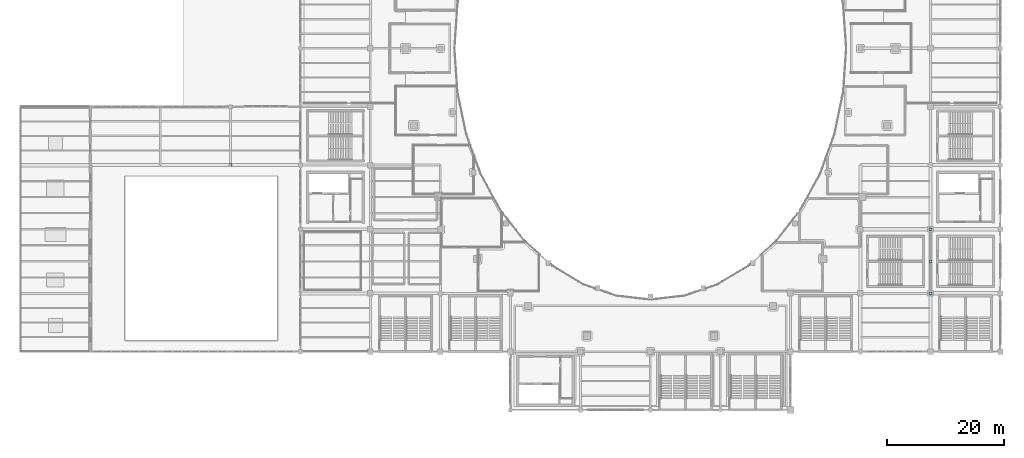
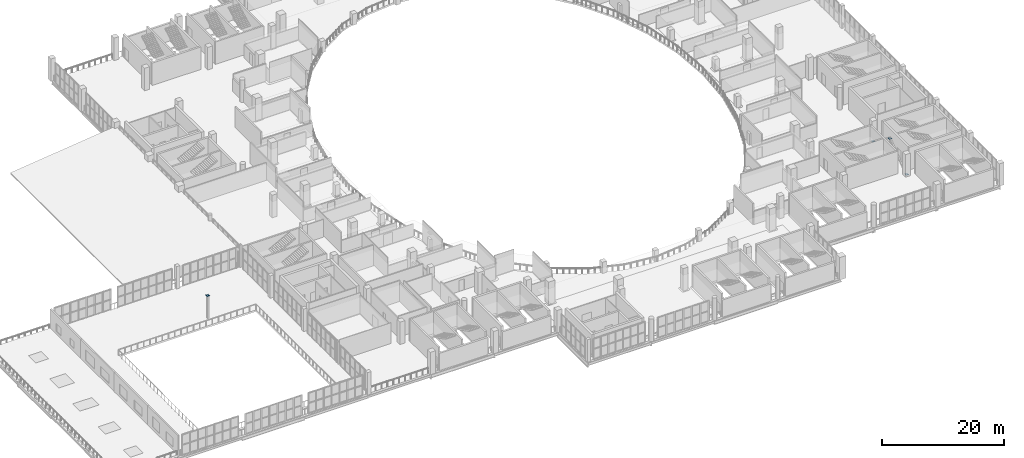
# One storey, part 59 of 90: 4 plates.
"""IFC4 building model written with IfcOpenShell, lengths in metres."""

from ifc_helpers import new_model, si_unit, direction, frame, origin, origin_2d, place, context, subcontext, project, spatial, rectangle, extrude, material, layer, layer_set, type_object, element, save


model = new_model("IFC4")

# Units and contexts
model_context = context("Model", 3, precision=1e-05, world=origin(), true_north=direction((0.0, 1.0)))
body_context = subcontext(model_context, "Body", "Model", "MODEL_VIEW")
ifc_project = project(units=[si_unit("LENGTHUNIT", "METRE"), si_unit("AREAUNIT", "SQUARE_METRE"), si_unit("VOLUMEUNIT", "CUBIC_METRE"), si_unit("PLANEANGLEUNIT", "RADIAN"), si_unit("MASSUNIT", "GRAM", prefix="KILO")], contexts=[model_context])

# Site, building, storey
site_placement = place(None, origin())
site = spatial("IfcSite", under=ifc_project, at=site_placement, CompositionType="ELEMENT")
building_placement = place(site_placement, origin())
building = spatial("IfcBuilding", under=site, at=building_placement, Name="Brinegate Civic Arena", CompositionType="ELEMENT")
storey_placement = place(building_placement, frame((0.0, 0.0, 14.699951171875)))
storey = spatial("IfcBuildingStorey", under=building, at=storey_placement, Name="L03", CompositionType="ELEMENT", Elevation=14.699951171875)

# Plates
ifc_material = material(Name="Steel S355", Category="steel")
ifc_layer_1 = layer(ifc_material, 0.02392578125, Name="Steel S355")
ifc_layer_set_1 = layer_set([ifc_layer_1], Name="Steel S355")
plate_type_1 = type_object("IfcPlateType", Name="PLATE-BASE-480X24", PredefinedType="SHEET", material=ifc_layer_set_1)
plate_placement = place(storey_placement, frame((36.0, 42.0, 4.4970703125), z_axis=(0.0, 0.0, 1.0), x_axis=(1.0, 0.0, 0.0)))
element("IfcPlate", 1, at=plate_placement, inside=storey, type_object=plate_type_1, Name="Welded Steel Column Node Cap Plate CPL-TOP-022", PredefinedType="SHEET", context=body_context, shape_type="SweptSolid", body=[
    extrude(rectangle(XDim=0.47998046875, YDim=0.47998046875, at=origin_2d()), origin(), (0.0, 0.0, 1.0), 0.02392578125),
])
ifc_layer_2 = layer(ifc_material, 0.01806640625, Name="Steel S355")
ifc_layer_set_2 = layer_set([ifc_layer_2], Name="Steel S355")
plate_type_2 = type_object("IfcPlateType", Name="PLATE-GUSSET-460X18", PredefinedType="SHEET", material=ifc_layer_set_2)
for number, where, z_axis, x_axis, name in (
    (2, (156.0, 25.5, 4.031005859375), (0.0, 0.0, 1.0), (1.0, 0.0, 0.0), "Chevron Gusset Plate GPL-10"),
    (3, (156.0, 20.0, 0.14111328125), (0.0, 0.0, 1.0), (1.0, 0.0, 0.0), "Chevron Base Gusset Plate GPL-10-BA"),
    (4, (156.0, 31.0, 0.14111328125), (0.0, 0.0, 1.0), (1.0, 0.0, 0.0), "Chevron Base Gusset Plate GPL-10-BB"),
):
    element("IfcPlate", number, at=place(storey_placement, frame(where, z_axis=z_axis, x_axis=x_axis)), inside=storey, type_object=plate_type_2, Name=name, PredefinedType="SHEET", context=body_context, shape_type="SweptSolid", body=[
        extrude(rectangle(XDim=0.4599609375, YDim=0.4599609375, at=origin_2d()), origin(), (0.0, 0.0, 1.0), 0.01806640625),
    ])

save(model, "model.ifc")
